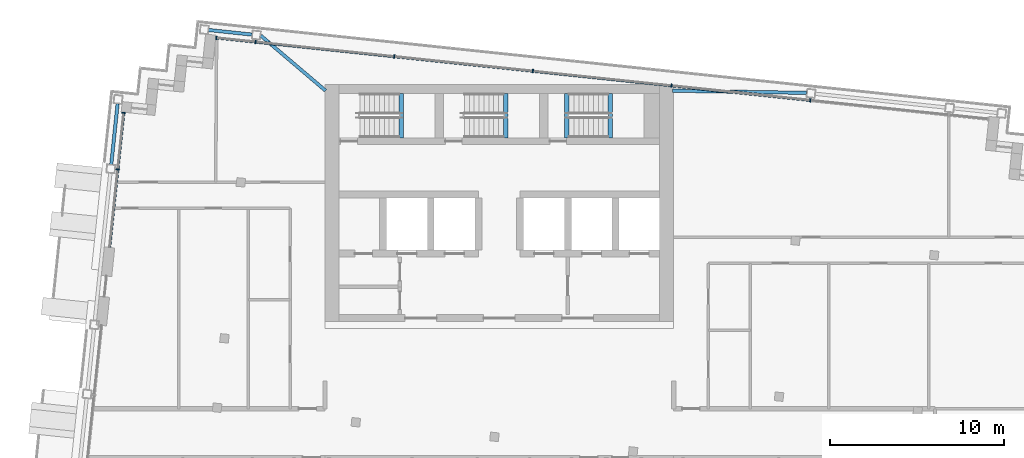
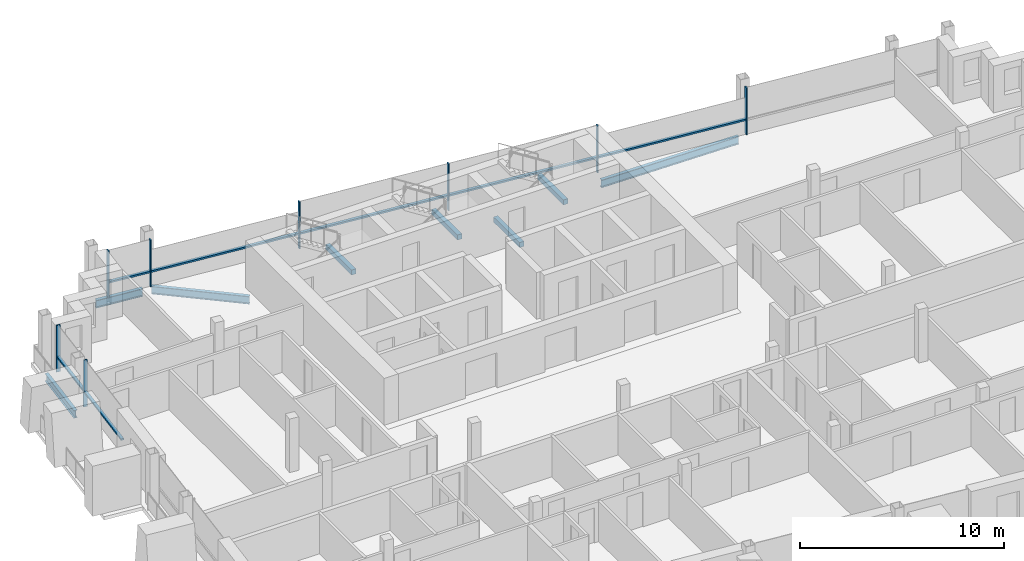
# One storey, part 5 of 16: 15 members, 8 beams, 2 elements without a shape of their own.
"""IFC4 building model written with IfcOpenShell, lengths in metres."""

from ifc_helpers import new_model, si_unit, direction, frame, origin, origin_2d, place, context, subcontext, project, spatial, rectangle, i_section, extrude, material, material_profile, profile_set, type_object, element, aggregate, save


model = new_model("IFC4")

# Units and contexts
model_context = context("Model", 3, precision=1e-05, world=origin(), true_north=direction((0.0, 1.0)))
body_context = subcontext(model_context, "Body", "Model", "MODEL_VIEW")
ifc_project = project(units=[si_unit("LENGTHUNIT", "METRE"), si_unit("AREAUNIT", "SQUARE_METRE"), si_unit("VOLUMEUNIT", "CUBIC_METRE"), si_unit("PLANEANGLEUNIT", "RADIAN"), si_unit("MASSUNIT", "GRAM", prefix="KILO")], contexts=[model_context])

# Site, building, storey
site_placement = place(None, origin())
site = spatial("IfcSite", under=ifc_project, at=site_placement, CompositionType="ELEMENT")
building_placement = place(site_placement, origin())
building = spatial("IfcBuilding", under=site, at=building_placement, Name="Vidyagriha Tower", CompositionType="ELEMENT")
storey_placement = place(building_placement, frame((0.0, 0.0, 278.699951171875)))
storey = spatial("IfcBuildingStorey", under=building, at=storey_placement, Name="L73", CompositionType="ELEMENT", Elevation=278.699951171875)

# Beams
ifc_material_1 = material(Name="Steel ASTM A992 Grade 50", Category="steel")
ifc_material_profile_1 = material_profile(ifc_material_1, i_section(OverallWidth=0.19189453125, OverallDepth=0.46240234375, WebThickness=0.010498046875, FlangeThickness=0.017578125, at=origin_2d()), Name="W18X60")
ifc_profile_set_1 = profile_set([ifc_material_profile_1], Name="Steel ASTM A992 Grade 50")
beam_type_1 = type_object("IfcBeamType", Name="Edge beam W18X60", PredefinedType="SPANDREL", material=ifc_profile_set_1)
beam_1_placement = place(storey_placement, frame((-22.263916015625, 15.422607421875, -0.510986328125), z_axis=(0.104495960989, 0.994525310958, 0.0), x_axis=(-0.994525310958, 0.104495960989, 0.0)))
element("IfcBeam", 1, at=beam_1_placement, inside=storey, type_object=beam_type_1, Name="st-beam-L73-W12", PredefinedType="SPANDREL", context=body_context, shape_type="SweptSolid", body=[
    extrude(i_section(OverallWidth=0.19189453125, OverallDepth=0.46240234375, WebThickness=0.010498046875, FlangeThickness=0.017578125, at=origin_2d()), origin(), (0.0, 0.0, 1.0), 3.499755859375),
])
beam_2_placement = place(storey_placement, frame((-16.677490234375, 23.130859375, -0.510986328125), z_axis=(0.994514546653, -0.104598357995, 0.0), x_axis=(0.104598357995, 0.994514546653, 0.0)))
element("IfcBeam", 2, at=beam_2_placement, inside=storey, type_object=beam_type_1, Name="st-beam-L73-NW18", PredefinedType="SPANDREL", context=body_context, shape_type="SweptSolid", body=[
    extrude(i_section(OverallWidth=0.19189453125, OverallDepth=0.46240234375, WebThickness=0.010498046875, FlangeThickness=0.017578125, at=origin_2d()), origin(), (0.0, 0.0, 1.0), 2.499755859375),
])
beam_3_placement = place(storey_placement, frame((-13.694091796875, 22.817138671875, -0.510986328125), z_axis=(0.762224865329, -0.647312331625, 0.0), x_axis=(0.647312331625, 0.762224865329, 0.0)))
element("IfcBeam", 3, at=beam_3_placement, inside=storey, type_object=beam_type_1, Name="st-beam-L73-NC21", PredefinedType="SPANDREL", context=body_context, shape_type="SweptSolid", body=[
    extrude(i_section(OverallWidth=0.19189453125, OverallDepth=0.46240234375, WebThickness=0.010498046875, FlangeThickness=0.017578125, at=origin_2d()), origin(), (0.0, 0.0, 1.0), 4.892822265625),
])
beam_4_placement = place(storey_placement, frame((9.92578125, 19.64990234375, -0.510986328125), z_axis=(0.99986748631, -0.016279122203, 0.0), x_axis=(0.016279122203, 0.99986748631, 0.0)))
element("IfcBeam", 4, at=beam_4_placement, inside=storey, type_object=beam_type_1, Name="st-beam-L73-NC22", PredefinedType="SPANDREL", context=body_context, shape_type="SweptSolid", body=[
    extrude(i_section(OverallWidth=0.19189453125, OverallDepth=0.46240234375, WebThickness=0.010498046875, FlangeThickness=0.017578125, at=origin_2d()), origin(), (0.0, 0.0, 1.0), 7.70849609375),
])

# Curtain wall, members
ifc_material_2 = material(Name="Aluminium and glass curtain wall", Category="aluminium")
curtain_wall_type = type_object("IfcCurtainWallType", Name="Dwelling skin unitised curtain wall", PredefinedType="USERDEFINED", material=ifc_material_2)
curtain_wall_1_placement = place(storey_placement, origin())
curtain_wall_1 = element("IfcCurtainWall", 5, at=curtain_wall_1_placement, inside=storey, type_object=curtain_wall_type, Name="CW1 dwelling skin", ObjectType="UNITISED", PredefinedType="USERDEFINED")
ifc_material_3 = material(Name="Aluminium black anodised", Category="aluminium")
ifc_material_profile_2 = material_profile(ifc_material_3, rectangle(XDim=0.199951171875, YDim=0.070068359375, at=origin_2d()), Name="Mullion 70x200 black aluminium")
ifc_profile_set_2 = profile_set([ifc_material_profile_2], Name="Aluminium black anodised")
member_type_1 = type_object("IfcMemberType", Name="Mullion 70x200 black aluminium", PredefinedType="MULLION", material=ifc_profile_set_2)
member_1_placement = place(storey_placement, frame((17.840087890625, 19.1005859375, 0.0), z_axis=(0.0, 0.0, 1.0), x_axis=(-0.104528852722, -0.994521854435, 0.0)))
member_1 = element("IfcMember", 6, at=member_1_placement, type_object=member_type_1, Name="CW1 mullion 3", PredefinedType="MULLION", context=body_context, shape_type="SweptSolid", body=[
    extrude(rectangle(XDim=0.199951171875, YDim=0.070068359375, at=origin_2d()), origin(), (0.0, 0.0, 1.0), 2.800048828125),
])
member_2_placement = place(storey_placement, frame((9.884033203125, 19.936767578125, 0.0), z_axis=(0.0, 0.0, 1.0), x_axis=(-0.104528852722, -0.994521854435, 0.0)))
member_2 = element("IfcMember", 7, at=member_2_placement, type_object=member_type_1, Name="CW1 mullion 4", PredefinedType="MULLION", context=body_context, shape_type="SweptSolid", body=[
    extrude(rectangle(XDim=0.199951171875, YDim=0.070068359375, at=origin_2d()), origin(), (0.0, 0.0, 1.0), 2.800048828125),
])
member_3_placement = place(storey_placement, frame((1.927978515625, 20.773193359375, 0.0), z_axis=(0.0, 0.0, 1.0), x_axis=(-0.104528852722, -0.994521854435, 0.0)))
member_3 = element("IfcMember", 8, at=member_3_placement, type_object=member_type_1, Name="CW1 mullion 5", PredefinedType="MULLION", context=body_context, shape_type="SweptSolid", body=[
    extrude(rectangle(XDim=0.199951171875, YDim=0.070068359375, at=origin_2d()), origin(), (0.0, 0.0, 1.0), 2.800048828125),
])
member_4_placement = place(storey_placement, frame((-6.0283203125, 21.609375, 0.0), z_axis=(0.0, 0.0, 1.0), x_axis=(-0.104528852722, -0.994521854435, 0.0)))
member_4 = element("IfcMember", 9, at=member_4_placement, type_object=member_type_1, Name="CW1 mullion 6", PredefinedType="MULLION", context=body_context, shape_type="SweptSolid", body=[
    extrude(rectangle(XDim=0.199951171875, YDim=0.070068359375, at=origin_2d()), origin(), (0.0, 0.0, 1.0), 2.800048828125),
])
member_5_placement = place(storey_placement, frame((-13.984375, 22.445556640625, 0.0), z_axis=(0.0, 0.0, 1.0), x_axis=(-0.104528852722, -0.994521854435, 0.0)))
member_5 = element("IfcMember", 10, at=member_5_placement, type_object=member_type_1, Name="CW1 mullion 7", PredefinedType="MULLION", context=body_context, shape_type="SweptSolid", body=[
    extrude(rectangle(XDim=0.199951171875, YDim=0.070068359375, at=origin_2d()), origin(), (0.0, 0.0, 1.0), 2.800048828125),
])
member_6_placement = place(storey_placement, frame((-16.2373046875, 22.682373046875, 0.0), z_axis=(0.0, 0.0, 1.0), x_axis=(-0.104528852722, -0.994521854435, 0.0)))
member_6 = element("IfcMember", 11, at=member_6_placement, type_object=member_type_1, Name="CW1 mullion 8", PredefinedType="MULLION", context=body_context, shape_type="SweptSolid", body=[
    extrude(rectangle(XDim=0.199951171875, YDim=0.070068359375, at=origin_2d()), origin(), (0.0, 0.0, 1.0), 2.800048828125),
])

curtain_wall_2_placement = place(storey_placement, origin())
curtain_wall_2 = element("IfcCurtainWall", 12, at=curtain_wall_2_placement, inside=storey, type_object=curtain_wall_type, Name="CW1 dwelling skin", ObjectType="UNITISED", PredefinedType="USERDEFINED")
member_7_placement = place(storey_placement, frame((-21.551025390625, 18.379150390625, 0.0), z_axis=(0.0, 0.0, 1.0), x_axis=(0.994522229676, -0.104525282489, 0.0)))
member_7 = element("IfcMember", 13, at=member_7_placement, type_object=member_type_1, Name="CW1 mullion 1", PredefinedType="MULLION", context=body_context, shape_type="SweptSolid", body=[
    extrude(rectangle(XDim=0.199951171875, YDim=0.070068359375, at=origin_2d()), origin(), (0.0, 0.0, 1.0), 2.800048828125),
])
member_8_placement = place(storey_placement, frame((-21.892333984375, 15.132080078125, 0.0), z_axis=(0.0, 0.0, 1.0), x_axis=(0.994522229676, -0.104525282489, 0.0)))
member_8 = element("IfcMember", 14, at=member_8_placement, type_object=member_type_1, Name="CW1 mullion 2", PredefinedType="MULLION", context=body_context, shape_type="SweptSolid", body=[
    extrude(rectangle(XDim=0.199951171875, YDim=0.070068359375, at=origin_2d()), origin(), (0.0, 0.0, 1.0), 2.800048828125),
])

# Beams
ifc_material_4 = material(Name="Concrete C40/50", Category="concrete")
ifc_material_profile_3 = material_profile(ifc_material_4, rectangle(XDim=0.25, YDim=0.300048828125, at=origin_2d()), Name="Stair landing bearing beam 250x300")
ifc_profile_set_3 = profile_set([ifc_material_profile_3], Name="Concrete C40/50")
beam_type_2 = type_object("IfcBeamType", Name="Stair landing bearing beam 250x300", PredefinedType="BEAM", material=ifc_profile_set_3)
for number, where, z_axis, x_axis, name in (
    (15, (3.875, 16.949951171875, -0.429931640625), (0.0, 1.0, 0.0), (-1.0, 0.0, 0.0), "ST3 floor landing bearing beam L73"),
    (16, (-5.635009765625, 16.949951171875, 1.25), (0.0, 1.0, 0.0), (-1.0, 0.0, 0.0), "ST1 landing bearing beam L73"),
    (17, (0.364990234375, 16.949951171875, 1.25), (0.0, 1.0, 0.0), (-1.0, 0.0, 0.0), "ST2 landing bearing beam L73"),
    (18, (6.364990234375, 16.949951171875, 1.25), (0.0, 1.0, 0.0), (-1.0, 0.0, 0.0), "ST3 landing bearing beam L73"),
):
    element("IfcBeam", number, at=place(storey_placement, frame(where, z_axis=z_axis, x_axis=x_axis)), inside=storey, type_object=beam_type_2, Name=name, PredefinedType="BEAM", context=body_context, shape_type="SweptSolid", body=[
        extrude(rectangle(XDim=0.25, YDim=0.300048828125, at=origin_2d()), origin(), (0.0, 0.0, 1.0), 2.550048828125),
    ])

# Member
ifc_material_5 = material(Name="Aluminium black anodised", Category="aluminium")
ifc_material_profile_4 = material_profile(ifc_material_5, rectangle(XDim=0.159912109375, YDim=0.10009765625, at=origin_2d()), Name="Transom 100x160 black aluminium")
ifc_profile_set_4 = profile_set([ifc_material_profile_4], Name="Aluminium black anodised")
member_type_2 = type_object("IfcMemberType", Name="Transom 100x160 black aluminium", PredefinedType="USERDEFINED", material=ifc_profile_set_4)
member_9_placement = place(storey_placement, frame((17.805419921875, 19.104248046875, 0.900146484375), z_axis=(-0.994522814543, 0.104519717539, 0.0), x_axis=(-0.104519717539, -0.994522814543, 0.0)))
member_9 = element("IfcMember", 19, at=member_9_placement, type_object=member_type_2, Name="CW1 transom 3.1", ObjectType="TRANSOM", PredefinedType="USERDEFINED", context=body_context, shape_type="SweptSolid", body=[
    extrude(rectangle(XDim=0.159912109375, YDim=0.10009765625, at=origin_2d()), origin(), (0.0, 0.0, 1.0), 7.93017578125),
])

member_10_placement = place(storey_placement, frame((9.84912109375, 19.9404296875, 0.900146484375), z_axis=(-0.994519277397, 0.104553368605, 0.0), x_axis=(-0.104553368605, -0.994519277397, 0.0)))
member_10 = element("IfcMember", 20, at=member_10_placement, type_object=member_type_2, Name="CW1 transom 4.1", ObjectType="TRANSOM", PredefinedType="USERDEFINED", context=body_context, shape_type="SweptSolid", body=[
    extrude(rectangle(XDim=0.159912109375, YDim=0.10009765625, at=origin_2d()), origin(), (0.0, 0.0, 1.0), 7.929931640625),
])

member_11_placement = place(storey_placement, frame((1.89306640625, 20.77685546875, 0.900146484375), z_axis=(-0.994522478205, 0.104522917794, 0.0), x_axis=(-0.104522917794, -0.994522478205, 0.0)))
member_11 = element("IfcMember", 21, at=member_11_placement, type_object=member_type_2, Name="CW1 transom 5.1", ObjectType="TRANSOM", PredefinedType="USERDEFINED", context=body_context, shape_type="SweptSolid", body=[
    extrude(rectangle(XDim=0.159912109375, YDim=0.10009765625, at=origin_2d()), origin(), (0.0, 0.0, 1.0), 7.929931640625),
])

member_12_placement = place(storey_placement, frame((-6.06298828125, 21.613037109375, 0.900146484375), z_axis=(-0.994522814543, 0.104519717539, 0.0), x_axis=(-0.104519717539, -0.994522814543, 0.0)))
member_12 = element("IfcMember", 22, at=member_12_placement, type_object=member_type_2, Name="CW1 transom 6.1", ObjectType="TRANSOM", PredefinedType="USERDEFINED", context=body_context, shape_type="SweptSolid", body=[
    extrude(rectangle(XDim=0.159912109375, YDim=0.10009765625, at=origin_2d()), origin(), (0.0, 0.0, 1.0), 7.93017578125),
])

member_13_placement = place(storey_placement, frame((-14.019287109375, 22.44921875, 0.900146484375), z_axis=(-0.994520069272, 0.104545835956, 0.0), x_axis=(-0.104545835956, -0.994520069272, 0.0)))
member_13 = element("IfcMember", 23, at=member_13_placement, type_object=member_type_2, Name="CW1 transom 7.1", ObjectType="TRANSOM", PredefinedType="USERDEFINED", context=body_context, shape_type="SweptSolid", body=[
    extrude(rectangle(XDim=0.159912109375, YDim=0.10009765625, at=origin_2d()), origin(), (0.0, 0.0, 1.0), 2.195068359375),
])

aggregate(curtain_wall_1, [member_1, member_2, member_3, member_4, member_5, member_6, member_9, member_10, member_11, member_12, member_13])

member_14_placement = place(storey_placement, frame((-21.5546875, 18.344482421875, 0.900146484375), z_axis=(-0.104533631179, -0.994521352185, 0.0), x_axis=(0.994521352185, -0.104533631179, 0.0)))
member_14 = element("IfcMember", 24, at=member_14_placement, type_object=member_type_2, Name="CW1 transom 1.1", ObjectType="TRANSOM", PredefinedType="USERDEFINED", context=body_context, shape_type="SweptSolid", body=[
    extrude(rectangle(XDim=0.159912109375, YDim=0.10009765625, at=origin_2d()), origin(), (0.0, 0.0, 1.0), 3.195068359375),
])

member_15_placement = place(storey_placement, frame((-21.89599609375, 15.097412109375, 0.900146484375), z_axis=(-0.104542473379, -0.994520422746, 0.0), x_axis=(0.994520422746, -0.104542473379, 0.0)))
member_15 = element("IfcMember", 25, at=member_15_placement, type_object=member_type_2, Name="CW1 transom 2.1", ObjectType="TRANSOM", PredefinedType="USERDEFINED", context=body_context, shape_type="SweptSolid", body=[
    extrude(rectangle(XDim=0.159912109375, YDim=0.10009765625, at=origin_2d()), origin(), (0.0, 0.0, 1.0), 4.465087890625),
])

aggregate(curtain_wall_2, [member_7, member_8, member_14, member_15])

save(model, "model.ifc")
